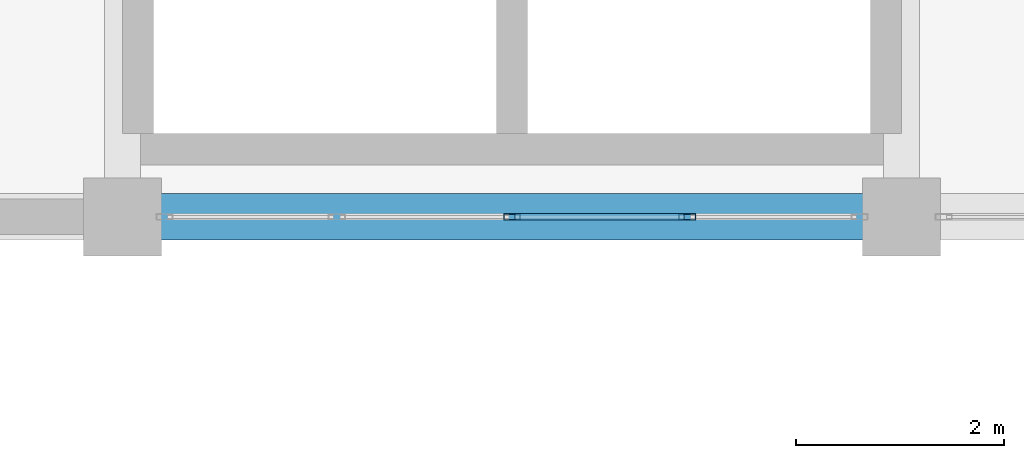
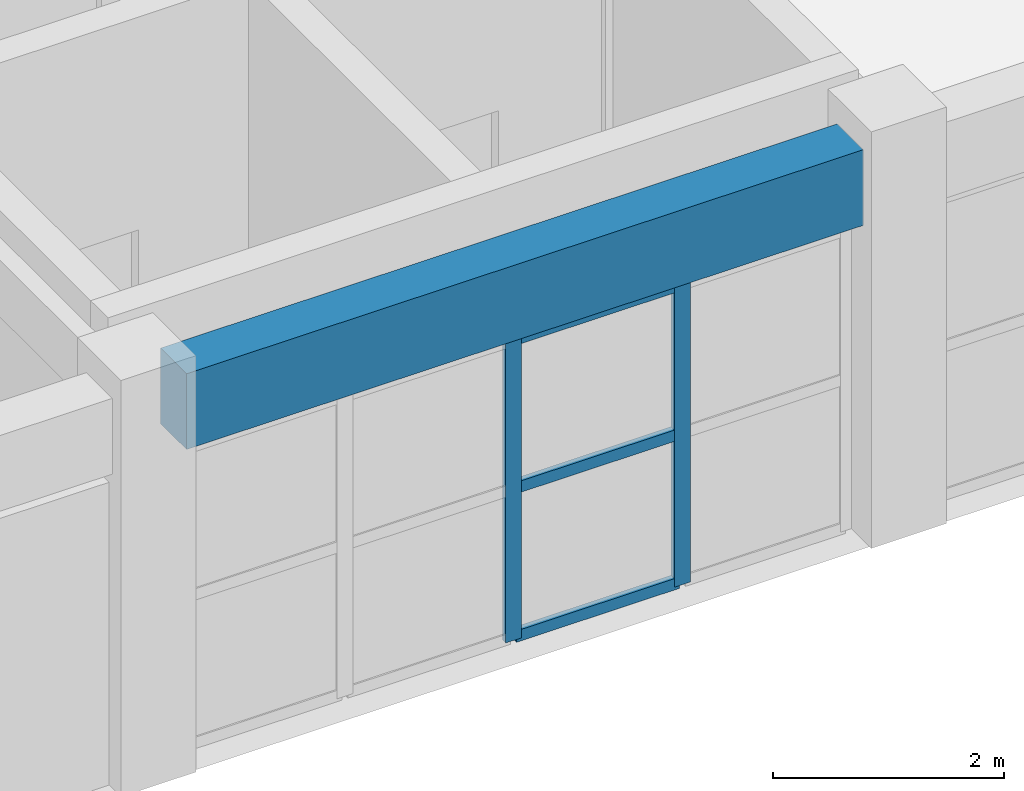
# One storey, part 16 of 116: 5 members, 1 beam, 1 element without a shape of its own.
"""IFC4 building model written with IfcOpenShell, lengths in metres."""

from ifc_helpers import new_model, si_unit, direction, frame, origin, origin_2d, place, context, subcontext, project, spatial, rectangle, hollow_rectangle, extrude, material, layer, layer_set, material_profile, profile_set, type_object, element, aggregate, save


model = new_model("IFC4")

# Units and contexts
model_context = context("Model", 3, precision=1e-05, world=origin(), true_north=direction((0.0, 1.0)))
body_context = subcontext(model_context, "Body", "Model", "MODEL_VIEW")
ifc_project = project(units=[si_unit("LENGTHUNIT", "METRE"), si_unit("AREAUNIT", "SQUARE_METRE"), si_unit("VOLUMEUNIT", "CUBIC_METRE"), si_unit("PLANEANGLEUNIT", "RADIAN"), si_unit("MASSUNIT", "GRAM", prefix="KILO")], contexts=[model_context])

# Site, building, storey
site_placement = place(None, origin())
site = spatial("IfcSite", under=ifc_project, at=site_placement, CompositionType="ELEMENT")
building_placement = place(site_placement, origin())
building = spatial("IfcBuilding", under=site, at=building_placement, Name="Muzn Square Opera House", CompositionType="ELEMENT")
storey_placement = place(building_placement, frame((0.0, 0.0, 5.39990234375)))
storey = spatial("IfcBuildingStorey", under=building, at=storey_placement, Name="L01", CompositionType="ELEMENT", Elevation=5.39990234375)

# Curtain wall, members
ifc_material_1 = material(Name="Low-E laminated acoustic double glazing", Category="glass")
ifc_layer = layer(ifc_material_1, 0.159912109375, Name="Low-E laminated acoustic double glazing", Category="glass")
ifc_layer_set = layer_set([ifc_layer], Name="Low-E laminated acoustic double glazing")
curtain_wall_type = type_object("IfcCurtainWallType", Name="Glazed Curtain Wall Forecourt 6750x3200", PredefinedType="USERDEFINED", material=ifc_layer_set)
curtain_wall_placement = place(storey_placement, origin())
curtain_wall = element("IfcCurtainWall", 1, at=curtain_wall_placement, inside=storey, type_object=curtain_wall_type, Name="Glazed Curtain Wall CW-L01-003", ObjectType="GLAZED CURTAIN WALL", PredefinedType="USERDEFINED")
ifc_material_2 = material(Name="Anodised bronze aluminium 6063-T6", Category="metal")
ifc_material_profile_1 = material_profile(ifc_material_2, hollow_rectangle(XDim=0.06005859375, YDim=0.159912109375, WallThickness=0.00390625, at=origin_2d()), Name="ALU 160x60x4", Category="metal")
ifc_profile_set_1 = profile_set([ifc_material_profile_1], Name="Anodised bronze aluminium 6063-T6")
member_type_1 = type_object("IfcMemberType", Name="Curtain Wall Mullion 160x60", PredefinedType="MULLION", material=ifc_profile_set_1)
member_1_placement = place(storey_placement, frame((61.75, 22.0, 0.0), z_axis=(0.0, 0.0, 1.0), x_axis=(0.0, 1.0, 0.0)))
member_1 = element("IfcMember", 2, at=member_1_placement, type_object=member_type_1, Name="CW-FC-67x32 mullion 3", PredefinedType="MULLION", context=body_context, shape_type="SweptSolid", body=[
    extrude(hollow_rectangle(XDim=0.06005859375, YDim=0.159912109375, WallThickness=0.00390625, at=origin_2d()), origin(), (0.0, 0.0, 1.0), 3.2001953125),
])
member_2_placement = place(storey_placement, frame((63.4375, 22.0, 0.0), z_axis=(0.0, 0.0, 1.0), x_axis=(0.0, 1.0, 0.0)))
member_2 = element("IfcMember", 3, at=member_2_placement, type_object=member_type_1, Name="CW-FC-67x32 mullion 4", PredefinedType="MULLION", context=body_context, shape_type="SweptSolid", body=[
    extrude(hollow_rectangle(XDim=0.06005859375, YDim=0.159912109375, WallThickness=0.00390625, at=origin_2d()), origin(), (0.0, 0.0, 1.0), 3.2001953125),
])
ifc_material_profile_2 = material_profile(ifc_material_2, hollow_rectangle(XDim=0.06005859375, YDim=0.1201171875, WallThickness=0.00390625, at=origin_2d()), Name="ALU 120x60x4", Category="metal")
ifc_profile_set_2 = profile_set([ifc_material_profile_2], Name="Anodised bronze aluminium 6063-T6")
member_type_2 = type_object("IfcMemberType", Name="Curtain Wall Transom 120x60", PredefinedType="USERDEFINED", material=ifc_profile_set_2)
member_3_placement = place(storey_placement, frame((61.780029296875, 22.0, 0.030029296875), z_axis=(1.0, 0.0, 0.0), x_axis=(0.0, 1.0, 0.0)))
member_3 = element("IfcMember", 4, at=member_3_placement, type_object=member_type_2, Name="CW-FC-67x32 transom 3.1", ObjectType="TRANSOM", PredefinedType="USERDEFINED", context=body_context, shape_type="SweptSolid", body=[
    extrude(hollow_rectangle(XDim=0.06005859375, YDim=0.1201171875, WallThickness=0.00390625, at=origin_2d()), origin(), (0.0, 0.0, 1.0), 1.62744140625),
])
member_4_placement = place(storey_placement, frame((61.780029296875, 22.0, 1.60009765625), z_axis=(1.0, 0.0, 0.0), x_axis=(0.0, 1.0, 0.0)))
member_4 = element("IfcMember", 5, at=member_4_placement, type_object=member_type_2, Name="CW-FC-67x32 transom 3.2", ObjectType="TRANSOM", PredefinedType="USERDEFINED", context=body_context, shape_type="SweptSolid", body=[
    extrude(hollow_rectangle(XDim=0.06005859375, YDim=0.1201171875, WallThickness=0.00390625, at=origin_2d()), origin(), (0.0, 0.0, 1.0), 1.62744140625),
])
member_5_placement = place(storey_placement, frame((61.780029296875, 22.0, 3.170166015625), z_axis=(1.0, 0.0, 0.0), x_axis=(0.0, 1.0, 0.0)))
member_5 = element("IfcMember", 6, at=member_5_placement, type_object=member_type_2, Name="CW-FC-67x32 transom 3.3", ObjectType="TRANSOM", PredefinedType="USERDEFINED", context=body_context, shape_type="SweptSolid", body=[
    extrude(hollow_rectangle(XDim=0.06005859375, YDim=0.1201171875, WallThickness=0.00390625, at=origin_2d()), origin(), (0.0, 0.0, 1.0), 1.62744140625),
])
aggregate(curtain_wall, [member_1, member_2, member_3, member_4, member_5])

# Beam
ifc_material_3 = material(Name="Concrete C40/50", Category="concrete")
ifc_material_profile_3 = material_profile(ifc_material_3, rectangle(XDim=0.449951171875, YDim=0.800048828125, at=origin_2d()), Name="RCB 450x800", Category="concrete")
ifc_profile_set_3 = profile_set([ifc_material_profile_3], Name="Concrete C40/50")
beam_type = type_object("IfcBeamType", Name="Primary Girder 450x800", PredefinedType="BEAM", material=ifc_profile_set_3)
beam_placement = place(storey_placement, frame((58.366943359375, 22.0, 3.72021484375), z_axis=(1.0, 0.0, 0.0), x_axis=(0.0, 1.0, 0.0)))
element("IfcBeam", 7, at=beam_placement, inside=storey, type_object=beam_type, Name="Primary Girder BM-L01-BM-PG800-584_220_651_220-1281", PredefinedType="BEAM", context=body_context, shape_type="SweptSolid", body=[
    extrude(rectangle(XDim=0.449951171875, YDim=0.800048828125, at=origin_2d()), origin(), (0.0, 0.0, 1.0), 6.76611328125),
])

save(model, "model.ifc")
